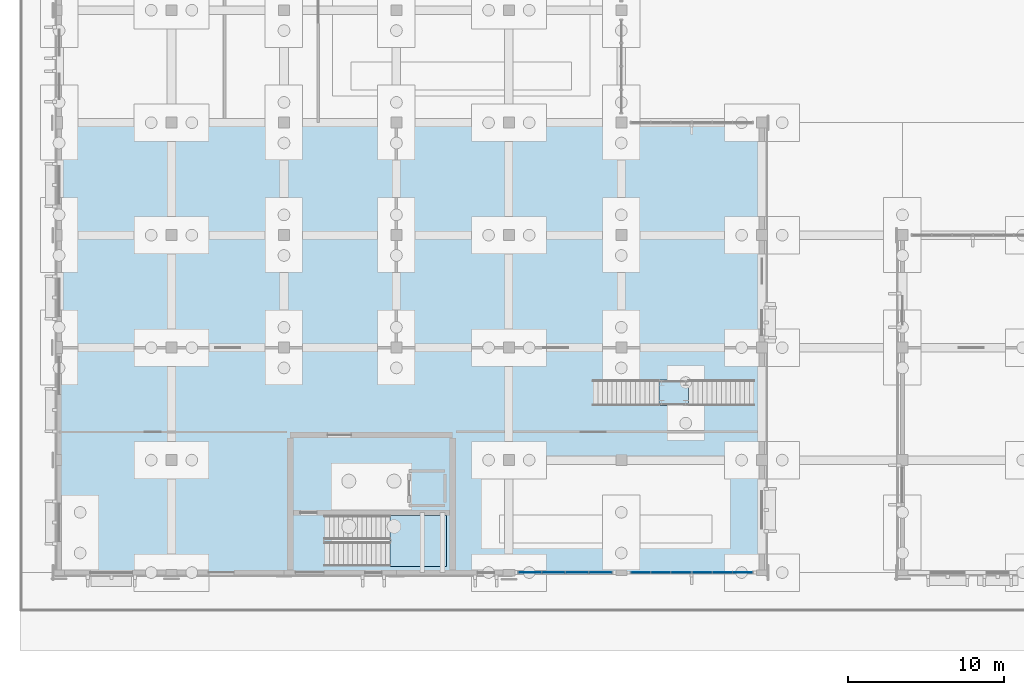
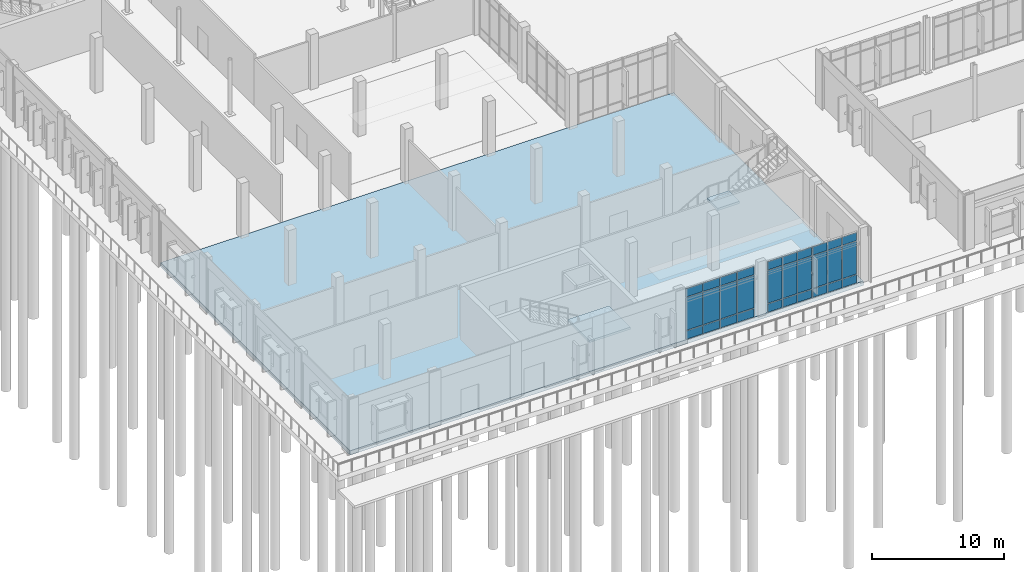
# One storey, part 48 of 94: 30 plates, 3 slabs, 5 elements without a shape of their own.
"""IFC4 building model written with IfcOpenShell, lengths in metres."""

from ifc_helpers import new_model, si_unit, direction, frame, origin, origin_2d, place, context, subcontext, project, spatial, polyline, rectangle, outline, extrude, material, layer, layer_set, type_object, element, aggregate, save


model = new_model("IFC4")

# Units and contexts
model_context = context("Model", 3, precision=1e-05, world=origin(), true_north=direction((0.0, 1.0)))
body_context = subcontext(model_context, "Body", "Model", "MODEL_VIEW")
ifc_project = project(units=[si_unit("LENGTHUNIT", "METRE"), si_unit("AREAUNIT", "SQUARE_METRE"), si_unit("VOLUMEUNIT", "CUBIC_METRE"), si_unit("PLANEANGLEUNIT", "RADIAN"), si_unit("MASSUNIT", "GRAM", prefix="KILO")], contexts=[model_context])

# Site, building, storey
site_placement = place(None, origin())
site = spatial("IfcSite", under=ifc_project, at=site_placement, CompositionType="ELEMENT")
building_placement = place(site_placement, origin())
building = spatial("IfcBuilding", under=site, at=building_placement, Name="Vervanel Yard Central Library", CompositionType="ELEMENT")
storey_placement = place(building_placement, origin())
storey = spatial("IfcBuildingStorey", under=building, at=storey_placement, Name="L00", CompositionType="ELEMENT", Elevation=0.0)

# Curtain wall, plates
ifc_material_1 = material(Name="Thermally broken anodized aluminium 6063-T6", Category="aluminium")
curtain_wall_type = type_object("IfcCurtainWallType", Name="Boulevard Cafe & Bridge Curtain Wall", PredefinedType="NOTDEFINED", material=ifc_material_1)
curtain_wall_1_placement = place(storey_placement, origin())
curtain_wall_1 = element("IfcCurtainWall", 1, at=curtain_wall_1_placement, inside=storey, type_object=curtain_wall_type, Name="L00 Boulevard Cafe & Bridge Curtain Wall CWR-L00-192", PredefinedType="NOTDEFINED")
ifc_material_2 = material(Name="Double low-E laminated solar-control glass", Category="glass")
ifc_layer_1 = layer(ifc_material_2, 0.033935546875, Category="glass")
ifc_layer_set_1 = layer_set([ifc_layer_1], Name="Double low-E laminated solar-control glass")
plate_type_1 = type_object("IfcPlateType", Name="Cafe Shopfront Laminated Panel 34", PredefinedType="CURTAIN_PANEL", material=ifc_layer_set_1)
plate_1_placement = place(storey_placement, frame((30.142578125, 0.0, 0.8798828125), z_axis=(0.0, 0.0, 1.0), x_axis=(1.0, 0.0, 0.0)))
plate_1 = element("IfcPlate", 2, at=plate_1_placement, type_object=plate_type_1, Name="CWR-L00-192 Panel B1-2", PredefinedType="CURTAIN_PANEL", context=body_context, shape_type="SweptSolid", body=[
    extrude(rectangle(XDim=1.445068359375, YDim=0.033935546875, at=origin_2d()), origin(), (0.0, 0.0, 1.0), 3.02001953125),
])
plate_2_placement = place(storey_placement, frame((30.142578125, 0.0, 3.9599609375), z_axis=(0.0, 0.0, 1.0), x_axis=(1.0, 0.0, 0.0)))
plate_2 = element("IfcPlate", 3, at=plate_2_placement, type_object=plate_type_1, Name="CWR-L00-192 Panel B1-3", PredefinedType="CURTAIN_PANEL", context=body_context, shape_type="SweptSolid", body=[
    extrude(rectangle(XDim=1.445068359375, YDim=0.033935546875, at=origin_2d()), origin(), (0.0, 0.0, 1.0), 0.760009765625),
])
plate_3_placement = place(storey_placement, frame((31.6474609375, 0.0, 0.8798828125), z_axis=(0.0, 0.0, 1.0), x_axis=(1.0, 0.0, 0.0)))
plate_3 = element("IfcPlate", 4, at=plate_3_placement, type_object=plate_type_1, Name="CWR-L00-192 Panel B2-2", PredefinedType="CURTAIN_PANEL", context=body_context, shape_type="SweptSolid", body=[
    extrude(rectangle(XDim=1.445068359375, YDim=0.033935546875, at=origin_2d()), origin(), (0.0, 0.0, 1.0), 3.02001953125),
])
plate_4_placement = place(storey_placement, frame((31.6474609375, 0.0, 3.9599609375), z_axis=(0.0, 0.0, 1.0), x_axis=(1.0, 0.0, 0.0)))
plate_4 = element("IfcPlate", 5, at=plate_4_placement, type_object=plate_type_1, Name="CWR-L00-192 Panel B2-3", PredefinedType="CURTAIN_PANEL", context=body_context, shape_type="SweptSolid", body=[
    extrude(rectangle(XDim=1.445068359375, YDim=0.033935546875, at=origin_2d()), origin(), (0.0, 0.0, 1.0), 0.760009765625),
])
plate_5_placement = place(storey_placement, frame((33.152587890625, 0.0, 0.8798828125), z_axis=(0.0, 0.0, 1.0), x_axis=(1.0, 0.0, 0.0)))
plate_5 = element("IfcPlate", 6, at=plate_5_placement, type_object=plate_type_1, Name="CWR-L00-192 Panel B3-2", PredefinedType="CURTAIN_PANEL", context=body_context, shape_type="SweptSolid", body=[
    extrude(rectangle(XDim=1.445068359375, YDim=0.033935546875, at=origin_2d()), origin(), (0.0, 0.0, 1.0), 3.02001953125),
])
plate_6_placement = place(storey_placement, frame((33.152587890625, 0.0, 3.9599609375), z_axis=(0.0, 0.0, 1.0), x_axis=(1.0, 0.0, 0.0)))
plate_6 = element("IfcPlate", 7, at=plate_6_placement, type_object=plate_type_1, Name="CWR-L00-192 Panel B3-3", PredefinedType="CURTAIN_PANEL", context=body_context, shape_type="SweptSolid", body=[
    extrude(rectangle(XDim=1.445068359375, YDim=0.033935546875, at=origin_2d()), origin(), (0.0, 0.0, 1.0), 0.760009765625),
])
plate_7_placement = place(storey_placement, frame((34.657470703125, 0.0, 0.8798828125), z_axis=(0.0, 0.0, 1.0), x_axis=(1.0, 0.0, 0.0)))
plate_7 = element("IfcPlate", 8, at=plate_7_placement, type_object=plate_type_1, Name="CWR-L00-192 Panel B4-2", PredefinedType="CURTAIN_PANEL", context=body_context, shape_type="SweptSolid", body=[
    extrude(rectangle(XDim=1.445068359375, YDim=0.033935546875, at=origin_2d()), origin(), (0.0, 0.0, 1.0), 3.02001953125),
])
plate_8_placement = place(storey_placement, frame((34.657470703125, 0.0, 3.9599609375), z_axis=(0.0, 0.0, 1.0), x_axis=(1.0, 0.0, 0.0)))
plate_8 = element("IfcPlate", 9, at=plate_8_placement, type_object=plate_type_1, Name="CWR-L00-192 Panel B4-3", PredefinedType="CURTAIN_PANEL", context=body_context, shape_type="SweptSolid", body=[
    extrude(rectangle(XDim=1.445068359375, YDim=0.033935546875, at=origin_2d()), origin(), (0.0, 0.0, 1.0), 0.760009765625),
])

curtain_wall_2_placement = place(storey_placement, origin())
curtain_wall_2 = element("IfcCurtainWall", 10, at=curtain_wall_2_placement, inside=storey, type_object=curtain_wall_type, Name="L00 Boulevard Cafe & Bridge Curtain Wall CWR-L00-193", PredefinedType="NOTDEFINED")
plate_9_placement = place(storey_placement, frame((37.236572265625, 0.0, 0.8798828125), z_axis=(0.0, 0.0, 1.0), x_axis=(1.0, 0.0, 0.0)))
plate_9 = element("IfcPlate", 11, at=plate_9_placement, type_object=plate_type_1, Name="CWR-L00-193 Panel B1-2", PredefinedType="CURTAIN_PANEL", context=body_context, shape_type="SweptSolid", body=[
    extrude(rectangle(XDim=1.2333984375, YDim=0.033935546875, at=origin_2d()), origin(), (0.0, 0.0, 1.0), 3.02001953125),
])
plate_10_placement = place(storey_placement, frame((37.236572265625, 0.0, 3.9599609375), z_axis=(0.0, 0.0, 1.0), x_axis=(1.0, 0.0, 0.0)))
plate_10 = element("IfcPlate", 12, at=plate_10_placement, type_object=plate_type_1, Name="CWR-L00-193 Panel B1-3", PredefinedType="CURTAIN_PANEL", context=body_context, shape_type="SweptSolid", body=[
    extrude(rectangle(XDim=1.2333984375, YDim=0.033935546875, at=origin_2d()), origin(), (0.0, 0.0, 1.0), 0.760009765625),
])
plate_11_placement = place(storey_placement, frame((38.530029296875, 0.0, 0.8798828125), z_axis=(0.0, 0.0, 1.0), x_axis=(1.0, 0.0, 0.0)))
plate_11 = element("IfcPlate", 13, at=plate_11_placement, type_object=plate_type_1, Name="CWR-L00-193 Panel B2-2", PredefinedType="CURTAIN_PANEL", context=body_context, shape_type="SweptSolid", body=[
    extrude(rectangle(XDim=1.2333984375, YDim=0.033935546875, at=origin_2d()), origin(), (0.0, 0.0, 1.0), 3.02001953125),
])
plate_12_placement = place(storey_placement, frame((38.530029296875, 0.0, 3.9599609375), z_axis=(0.0, 0.0, 1.0), x_axis=(1.0, 0.0, 0.0)))
plate_12 = element("IfcPlate", 14, at=plate_12_placement, type_object=plate_type_1, Name="CWR-L00-193 Panel B2-3", PredefinedType="CURTAIN_PANEL", context=body_context, shape_type="SweptSolid", body=[
    extrude(rectangle(XDim=1.2333984375, YDim=0.033935546875, at=origin_2d()), origin(), (0.0, 0.0, 1.0), 0.760009765625),
])
plate_13_placement = place(storey_placement, frame((39.8232421875, 0.0, 0.8798828125), z_axis=(0.0, 0.0, 1.0), x_axis=(1.0, 0.0, 0.0)))
plate_13 = element("IfcPlate", 15, at=plate_13_placement, type_object=plate_type_1, Name="CWR-L00-193 Panel B3-2", PredefinedType="CURTAIN_PANEL", context=body_context, shape_type="SweptSolid", body=[
    extrude(rectangle(XDim=1.2333984375, YDim=0.033935546875, at=origin_2d()), origin(), (0.0, 0.0, 1.0), 3.02001953125),
])
plate_14_placement = place(storey_placement, frame((39.8232421875, 0.0, 3.9599609375), z_axis=(0.0, 0.0, 1.0), x_axis=(1.0, 0.0, 0.0)))
plate_14 = element("IfcPlate", 16, at=plate_14_placement, type_object=plate_type_1, Name="CWR-L00-193 Panel B3-3", PredefinedType="CURTAIN_PANEL", context=body_context, shape_type="SweptSolid", body=[
    extrude(rectangle(XDim=1.2333984375, YDim=0.033935546875, at=origin_2d()), origin(), (0.0, 0.0, 1.0), 0.760009765625),
])

curtain_wall_3_placement = place(storey_placement, origin())
curtain_wall_3 = element("IfcCurtainWall", 17, at=curtain_wall_3_placement, inside=storey, type_object=curtain_wall_type, Name="L00 Boulevard Cafe & Bridge Curtain Wall CWR-L00-194", PredefinedType="NOTDEFINED")
plate_15_placement = place(storey_placement, frame((41.1767578125, 0.0, 0.8798828125), z_axis=(0.0, 0.0, 1.0), x_axis=(1.0, 0.0, 0.0)))
plate_15 = element("IfcPlate", 18, at=plate_15_placement, type_object=plate_type_1, Name="CWR-L00-194 Panel B1-2", PredefinedType="CURTAIN_PANEL", context=body_context, shape_type="SweptSolid", body=[
    extrude(rectangle(XDim=1.2333984375, YDim=0.033935546875, at=origin_2d()), origin(), (0.0, 0.0, 1.0), 3.02001953125),
])
plate_16_placement = place(storey_placement, frame((41.1767578125, 0.0, 3.9599609375), z_axis=(0.0, 0.0, 1.0), x_axis=(1.0, 0.0, 0.0)))
plate_16 = element("IfcPlate", 19, at=plate_16_placement, type_object=plate_type_1, Name="CWR-L00-194 Panel B1-3", PredefinedType="CURTAIN_PANEL", context=body_context, shape_type="SweptSolid", body=[
    extrude(rectangle(XDim=1.2333984375, YDim=0.033935546875, at=origin_2d()), origin(), (0.0, 0.0, 1.0), 0.760009765625),
])
plate_17_placement = place(storey_placement, frame((42.469970703125, 0.0, 0.8798828125), z_axis=(0.0, 0.0, 1.0), x_axis=(1.0, 0.0, 0.0)))
plate_17 = element("IfcPlate", 20, at=plate_17_placement, type_object=plate_type_1, Name="CWR-L00-194 Panel B2-2", PredefinedType="CURTAIN_PANEL", context=body_context, shape_type="SweptSolid", body=[
    extrude(rectangle(XDim=1.2333984375, YDim=0.033935546875, at=origin_2d()), origin(), (0.0, 0.0, 1.0), 3.02001953125),
])
plate_18_placement = place(storey_placement, frame((42.469970703125, 0.0, 3.9599609375), z_axis=(0.0, 0.0, 1.0), x_axis=(1.0, 0.0, 0.0)))
plate_18 = element("IfcPlate", 21, at=plate_18_placement, type_object=plate_type_1, Name="CWR-L00-194 Panel B2-3", PredefinedType="CURTAIN_PANEL", context=body_context, shape_type="SweptSolid", body=[
    extrude(rectangle(XDim=1.2333984375, YDim=0.033935546875, at=origin_2d()), origin(), (0.0, 0.0, 1.0), 0.760009765625),
])
plate_19_placement = place(storey_placement, frame((43.763427734375, 0.0, 0.8798828125), z_axis=(0.0, 0.0, 1.0), x_axis=(1.0, 0.0, 0.0)))
plate_19 = element("IfcPlate", 22, at=plate_19_placement, type_object=plate_type_1, Name="CWR-L00-194 Panel B3-2", PredefinedType="CURTAIN_PANEL", context=body_context, shape_type="SweptSolid", body=[
    extrude(rectangle(XDim=1.2333984375, YDim=0.033935546875, at=origin_2d()), origin(), (0.0, 0.0, 1.0), 3.02001953125),
])
plate_20_placement = place(storey_placement, frame((43.763427734375, 0.0, 3.9599609375), z_axis=(0.0, 0.0, 1.0), x_axis=(1.0, 0.0, 0.0)))
plate_20 = element("IfcPlate", 23, at=plate_20_placement, type_object=plate_type_1, Name="CWR-L00-194 Panel B3-3", PredefinedType="CURTAIN_PANEL", context=body_context, shape_type="SweptSolid", body=[
    extrude(rectangle(XDim=1.2333984375, YDim=0.033935546875, at=origin_2d()), origin(), (0.0, 0.0, 1.0), 0.760009765625),
])

# Stair, slab
ifc_material_3 = material(Name="Concrete C40/50", Category="concrete")
stair_type_1 = type_object("IfcStairType", Name="Protected Core Dog-Leg Stair ST-04", PredefinedType="HALF_TURN_STAIR", material=ifc_material_3)
stair_1_placement = place(storey_placement, origin())
stair_1 = element("IfcStair", 24, at=stair_1_placement, inside=storey, type_object=stair_type_1, Name="L00 CORE-D Protected Exit Stair", PredefinedType="HALF_TURN_STAIR")
ifc_layer_2 = layer(ifc_material_3, 0.199951171875, Category="concrete")
ifc_layer_set_2 = layer_set([ifc_layer_2], Name="Concrete C40/50")
slab_type_1 = type_object("IfcSlabType", Name="Core Stair Concrete Landing Slab 200", PredefinedType="LANDING", material=ifc_layer_set_2)
slab_1_placement = place(storey_placement, frame((0.0, 0.0, 2.35009765625)))
slab_1 = element("IfcSlab", 25, at=slab_1_placement, type_object=slab_type_1, Name="ST-04 landing 1", PredefinedType="LANDING", context=body_context, shape_type="SweptSolid", body=[
    extrude(outline(polyline([(21.199951171875, 0.39990234375), (24.800048828125, 0.39990234375), (24.800048828125, 3.659912109375), (21.199951171875, 3.659912109375), (21.199951171875, 0.39990234375)])), origin(), (0.0, 0.0, 1.0), 0.199951171875),
])
aggregate(stair_1, [slab_1])

ifc_material_4 = material(Name="Concrete C45/55", Category="concrete")
stair_type_2 = type_object("IfcStairType", Name="Architectural Feature Straight Stair FS-ST-07", PredefinedType="STRAIGHT_RUN_STAIR", material=ifc_material_4)
stair_2_placement = place(storey_placement, origin())
stair_2 = element("IfcStair", 26, at=stair_2_placement, inside=storey, type_object=stair_type_2, Name="L00 Feature Stair FS-ST-07", PredefinedType="STRAIGHT_RUN_STAIR")
ifc_layer_3 = layer(ifc_material_4, 0.219970703125, Category="concrete")
ifc_layer_set_3 = layer_set([ifc_layer_3], Name="Concrete C45/55")
slab_type_2 = type_object("IfcSlabType", Name="Feature Stair Concrete Landing Slab 220", PredefinedType="LANDING", material=ifc_layer_set_3)
slab_2_placement = place(storey_placement, frame((0.0, 0.0, 2.330078125)))
slab_2 = element("IfcSlab", 27, at=slab_2_placement, type_object=slab_type_2, Name="FST-07-L00 Mid Landing 1", PredefinedType="LANDING", context=body_context, shape_type="SweptSolid", body=[
    extrude(outline(polyline([(38.39990234375, 10.68505859375), (40.300048828125, 10.68505859375), (40.300048828125, 12.31494140625), (38.39990234375, 12.31494140625), (38.39990234375, 10.68505859375)])), origin(), (0.0, 0.0, 1.0), 0.219970703125),
])
aggregate(stair_2, [slab_2])

# Plate
ifc_material_5 = material(Name="Insulated bronze aluminium spandrel panel", Category="aluminium")
ifc_layer_4 = layer(ifc_material_5, 0.080078125, Category="aluminium")
ifc_layer_set_4 = layer_set([ifc_layer_4], Name="Insulated bronze aluminium spandrel panel")
plate_type_2 = type_object("IfcPlateType", Name="Insulated Bronze Spandrel Panel 80", PredefinedType="CURTAIN_PANEL", material=ifc_layer_set_4)
plate_21_placement = place(storey_placement, frame((30.142578125, 0.0, 0.06005859375), z_axis=(0.0, 0.0, 1.0), x_axis=(1.0, 0.0, 0.0)))
plate_21 = element("IfcPlate", 28, at=plate_21_placement, type_object=plate_type_2, Name="CWR-L00-192 Panel B1-1", PredefinedType="CURTAIN_PANEL", context=body_context, shape_type="SweptSolid", body=[
    extrude(rectangle(XDim=1.445068359375, YDim=0.080078125, at=origin_2d()), origin(), (0.0, 0.0, 1.0), 0.760009765625),
])

plate_22_placement = place(storey_placement, frame((31.6474609375, 0.0, 0.06005859375), z_axis=(0.0, 0.0, 1.0), x_axis=(1.0, 0.0, 0.0)))
plate_22 = element("IfcPlate", 29, at=plate_22_placement, type_object=plate_type_2, Name="CWR-L00-192 Panel B2-1", PredefinedType="CURTAIN_PANEL", context=body_context, shape_type="SweptSolid", body=[
    extrude(rectangle(XDim=1.445068359375, YDim=0.080078125, at=origin_2d()), origin(), (0.0, 0.0, 1.0), 0.760009765625),
])

plate_23_placement = place(storey_placement, frame((33.152587890625, 0.0, 0.06005859375), z_axis=(0.0, 0.0, 1.0), x_axis=(1.0, 0.0, 0.0)))
plate_23 = element("IfcPlate", 30, at=plate_23_placement, type_object=plate_type_2, Name="CWR-L00-192 Panel B3-1", PredefinedType="CURTAIN_PANEL", context=body_context, shape_type="SweptSolid", body=[
    extrude(rectangle(XDim=1.445068359375, YDim=0.080078125, at=origin_2d()), origin(), (0.0, 0.0, 1.0), 0.760009765625),
])

plate_24_placement = place(storey_placement, frame((34.657470703125, 0.0, 0.06005859375), z_axis=(0.0, 0.0, 1.0), x_axis=(1.0, 0.0, 0.0)))
plate_24 = element("IfcPlate", 31, at=plate_24_placement, type_object=plate_type_2, Name="CWR-L00-192 Panel B4-1", PredefinedType="CURTAIN_PANEL", context=body_context, shape_type="SweptSolid", body=[
    extrude(rectangle(XDim=1.445068359375, YDim=0.080078125, at=origin_2d()), origin(), (0.0, 0.0, 1.0), 0.760009765625),
])

aggregate(curtain_wall_1, [plate_21, plate_1, plate_2, plate_22, plate_3, plate_4, plate_23, plate_5, plate_6, plate_24, plate_7, plate_8])

plate_25_placement = place(storey_placement, frame((37.236572265625, 0.0, 0.06005859375), z_axis=(0.0, 0.0, 1.0), x_axis=(1.0, 0.0, 0.0)))
plate_25 = element("IfcPlate", 32, at=plate_25_placement, type_object=plate_type_2, Name="CWR-L00-193 Panel B1-1", PredefinedType="CURTAIN_PANEL", context=body_context, shape_type="SweptSolid", body=[
    extrude(rectangle(XDim=1.2333984375, YDim=0.080078125, at=origin_2d()), origin(), (0.0, 0.0, 1.0), 0.760009765625),
])

plate_26_placement = place(storey_placement, frame((38.530029296875, 0.0, 0.06005859375), z_axis=(0.0, 0.0, 1.0), x_axis=(1.0, 0.0, 0.0)))
plate_26 = element("IfcPlate", 33, at=plate_26_placement, type_object=plate_type_2, Name="CWR-L00-193 Panel B2-1", PredefinedType="CURTAIN_PANEL", context=body_context, shape_type="SweptSolid", body=[
    extrude(rectangle(XDim=1.2333984375, YDim=0.080078125, at=origin_2d()), origin(), (0.0, 0.0, 1.0), 0.760009765625),
])

plate_27_placement = place(storey_placement, frame((39.8232421875, 0.0, 0.06005859375), z_axis=(0.0, 0.0, 1.0), x_axis=(1.0, 0.0, 0.0)))
plate_27 = element("IfcPlate", 34, at=plate_27_placement, type_object=plate_type_2, Name="CWR-L00-193 Panel B3-1", PredefinedType="CURTAIN_PANEL", context=body_context, shape_type="SweptSolid", body=[
    extrude(rectangle(XDim=1.2333984375, YDim=0.080078125, at=origin_2d()), origin(), (0.0, 0.0, 1.0), 0.760009765625),
])

aggregate(curtain_wall_2, [plate_25, plate_9, plate_10, plate_26, plate_11, plate_12, plate_27, plate_13, plate_14])

plate_28_placement = place(storey_placement, frame((41.1767578125, 0.0, 0.06005859375), z_axis=(0.0, 0.0, 1.0), x_axis=(1.0, 0.0, 0.0)))
plate_28 = element("IfcPlate", 35, at=plate_28_placement, type_object=plate_type_2, Name="CWR-L00-194 Panel B1-1", PredefinedType="CURTAIN_PANEL", context=body_context, shape_type="SweptSolid", body=[
    extrude(rectangle(XDim=1.2333984375, YDim=0.080078125, at=origin_2d()), origin(), (0.0, 0.0, 1.0), 0.760009765625),
])

plate_29_placement = place(storey_placement, frame((42.469970703125, 0.0, 0.06005859375), z_axis=(0.0, 0.0, 1.0), x_axis=(1.0, 0.0, 0.0)))
plate_29 = element("IfcPlate", 36, at=plate_29_placement, type_object=plate_type_2, Name="CWR-L00-194 Panel B2-1", PredefinedType="CURTAIN_PANEL", context=body_context, shape_type="SweptSolid", body=[
    extrude(rectangle(XDim=1.2333984375, YDim=0.080078125, at=origin_2d()), origin(), (0.0, 0.0, 1.0), 0.760009765625),
])

plate_30_placement = place(storey_placement, frame((43.763427734375, 0.0, 0.06005859375), z_axis=(0.0, 0.0, 1.0), x_axis=(1.0, 0.0, 0.0)))
plate_30 = element("IfcPlate", 37, at=plate_30_placement, type_object=plate_type_2, Name="CWR-L00-194 Panel B3-1", PredefinedType="CURTAIN_PANEL", context=body_context, shape_type="SweptSolid", body=[
    extrude(rectangle(XDim=1.2333984375, YDim=0.080078125, at=origin_2d()), origin(), (0.0, 0.0, 1.0), 0.760009765625),
])

aggregate(curtain_wall_3, [plate_28, plate_15, plate_16, plate_29, plate_17, plate_18, plate_30, plate_19, plate_20])

# Slab
ifc_layer_5 = layer(ifc_material_3, 0.39990234375, Category="concrete")
ifc_layer_set_5 = layer_set([ifc_layer_5], Name="Concrete C40/50")
slab_type_3 = type_object("IfcSlabType", Name="Plinth Base Slab 400", PredefinedType="BASESLAB", material=ifc_layer_set_5)
slab_3_placement = place(storey_placement, frame((0.0, 0.0, -0.39990234375)))
element("IfcSlab", 38, at=slab_3_placement, inside=storey, type_object=slab_type_3, Name="L00 V6 Plinth Base Slab 400", PredefinedType="BASESLAB", context=body_context, shape_type="SweptSolid", body=[
    extrude(outline(polyline([(0.0, 0.0), (45.0, 0.0), (45.0, 28.800048828125), (0.0, 28.800048828125), (0.0, 0.0)])), origin(), (0.0, 0.0, 1.0), 0.39990234375),
])

save(model, "model.ifc")
